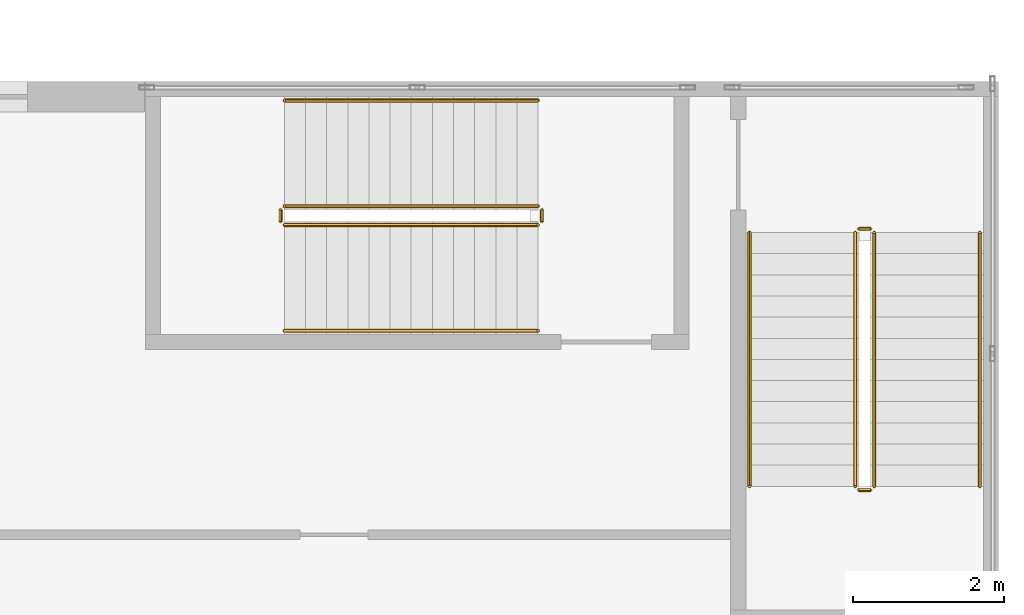
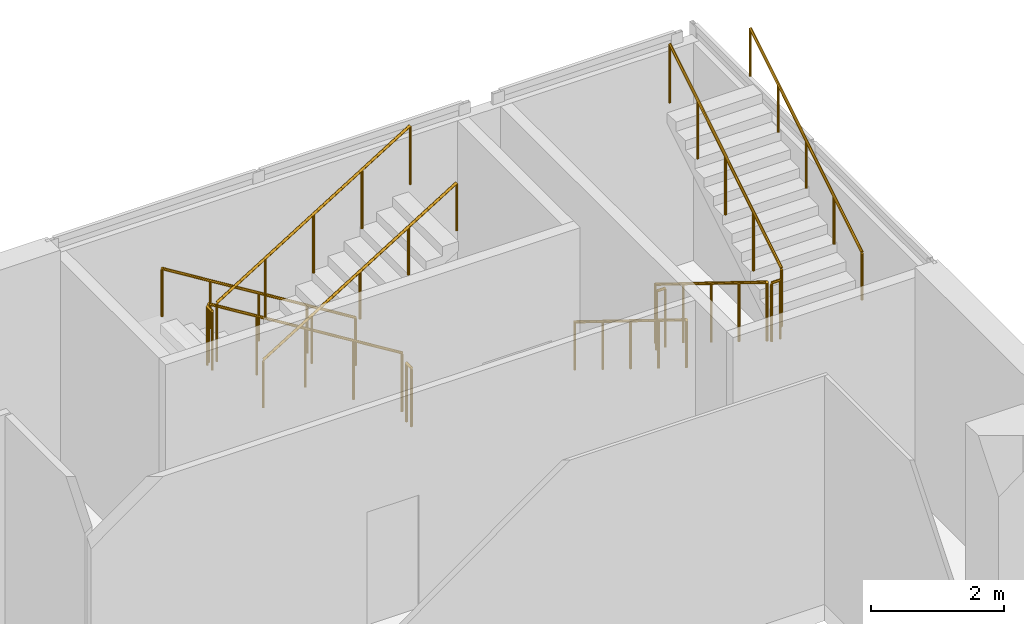
# One storey, part 21 of 21: 12 railings.
"""IFC4 building model written with IfcOpenShell, lengths in metres."""

from ifc_helpers import new_model, si_unit, direction, frame, origin, origin_2d, place, context, subcontext, project, spatial, circle, extrude, source, transform, mapped, material, type_object, element, save


model = new_model("IFC4")

# Units and contexts
model_context = context("Model", 3, precision=1e-05, world=origin(), true_north=direction((0.0, 1.0)))
body_context = subcontext(model_context, "Body", "Model", "MODEL_VIEW")
ifc_project = project(units=[si_unit("LENGTHUNIT", "METRE"), si_unit("AREAUNIT", "SQUARE_METRE"), si_unit("VOLUMEUNIT", "CUBIC_METRE"), si_unit("PLANEANGLEUNIT", "RADIAN"), si_unit("MASSUNIT", "GRAM", prefix="KILO")], contexts=[model_context])

# Site, building, storey
site_placement = place(None, origin())
site = spatial("IfcSite", under=ifc_project, at=site_placement, CompositionType="ELEMENT")
building_placement = place(site_placement, origin())
building = spatial("IfcBuilding", under=site, at=building_placement, Name="Khomas Fold Tower", CompositionType="ELEMENT")
storey_placement = place(building_placement, frame((0.0, 0.0, 28.5)))
storey = spatial("IfcBuildingStorey", under=building, at=storey_placement, Name="L05", CompositionType="ELEMENT", Elevation=28.5)

# Railings
ifc_material_1 = material(Name="Steel balustrade", Category="steel")
railing_type_1 = type_object("IfcRailingType", Name="Stair guard", PredefinedType="GUARDRAIL", material=ifc_material_1)
shared_shape_1 = source(origin(), body_context, "Body", "SweptSolid", [
    extrude(circle(Radius=0.02392578125, at=origin_2d()), frame((0.0, 0.0, 1.076171875), z_axis=(0.850606129759, 0.0, 0.525803396734), x_axis=(0.0, 1.0, 0.0)), (0.0, 0.0, 1.0), 3.949951171875),
    extrude(circle(Radius=0.02099609375, at=origin_2d()), origin(), (0.0, 0.0, 1.0), 1.052001953125),
    extrude(circle(Radius=0.02099609375, at=origin_2d()), frame((0.83984375, 0.0, 0.519287109375)), (0.0, 0.0, 1.0), 1.052001953125),
    extrude(circle(Radius=0.02099609375, at=origin_2d()), frame((1.679931640625, 0.0, 1.03857421875)), (0.0, 0.0, 1.0), 1.052001953125),
    extrude(circle(Radius=0.02099609375, at=origin_2d()), frame((2.52001953125, 0.0, 1.5576171875)), (0.0, 0.0, 1.0), 1.052001953125),
    extrude(circle(Radius=0.02099609375, at=origin_2d()), frame((3.35986328125, 0.0, 2.076904296875)), (0.0, 0.0, 1.0), 1.052001953125),
])
railing_1_placement = place(storey_placement, frame((71.5400390625, 52.10009765625, 2.423095703125)))
element("IfcRailing", 1, at=railing_1_placement, inside=storey, type_object=railing_type_1, Name="L05 PS5 stair guard 3", PredefinedType="GUARDRAIL", context=body_context, shape_type="MappedRepresentation", body=[
    mapped(shared_shape_1, transform((0.0, 0.0, 0.0))),
])
shared_shape_2 = source(origin(), body_context, "Body", "SweptSolid", [
    extrude(circle(Radius=0.02392578125, at=origin_2d()), frame((0.0, 0.0, 1.076171875), z_axis=(-0.850606129759, 0.0, 0.525803396734), x_axis=(0.0, -1.0, 0.0)), (0.0, 0.0, 1.0), 3.949951171875),
    extrude(circle(Radius=0.02099609375, at=origin_2d()), origin(), (0.0, 0.0, 1.0), 1.052001953125),
    extrude(circle(Radius=0.02099609375, at=origin_2d()), frame((-0.83984375, 0.0, 0.519287109375)), (0.0, 0.0, 1.0), 1.052001953125),
    extrude(circle(Radius=0.02099609375, at=origin_2d()), frame((-1.679931640625, 0.0, 1.03857421875)), (0.0, 0.0, 1.0), 1.052001953125),
    extrude(circle(Radius=0.02099609375, at=origin_2d()), frame((-2.52001953125, 0.0, 1.5576171875)), (0.0, 0.0, 1.0), 1.052001953125),
    extrude(circle(Radius=0.02099609375, at=origin_2d()), frame((-3.35986328125, 0.0, 2.076904296875)), (0.0, 0.0, 1.0), 1.052001953125),
])
railing_2_placement = place(storey_placement, frame((74.89990234375, 52.35009765625, 0.173095703125)))
element("IfcRailing", 2, at=railing_2_placement, inside=storey, type_object=railing_type_1, Name="L05 PS5 stair guard 1", PredefinedType="GUARDRAIL", context=body_context, shape_type="MappedRepresentation", body=[
    mapped(shared_shape_2, transform((0.0, 0.0, 0.0))),
])
ifc_material_2 = material(Name="Steel handrail", Category="steel")
railing_type_2 = type_object("IfcRailingType", Name="Stair handrail", PredefinedType="HANDRAIL", material=ifc_material_2)
shared_shape_3 = source(origin(), body_context, "Body", "SweptSolid", [
    extrude(circle(Radius=0.02392578125, at=origin_2d()), frame((0.0, 0.0, 0.8759765625), z_axis=(0.850606129759, 0.0, 0.525803396734), x_axis=(0.0, 1.0, 0.0)), (0.0, 0.0, 1.0), 3.949951171875),
    extrude(circle(Radius=0.02099609375, at=origin_2d()), origin(), (0.0, 0.0, 1.0), 0.851806640625),
    extrude(circle(Radius=0.02099609375, at=origin_2d()), frame((0.83984375, 0.0, 0.519287109375)), (0.0, 0.0, 1.0), 0.851806640625),
    extrude(circle(Radius=0.02099609375, at=origin_2d()), frame((1.679931640625, 0.0, 1.03857421875)), (0.0, 0.0, 1.0), 0.851806640625),
    extrude(circle(Radius=0.02099609375, at=origin_2d()), frame((2.52001953125, 0.0, 1.5576171875)), (0.0, 0.0, 1.0), 0.851806640625),
    extrude(circle(Radius=0.02099609375, at=origin_2d()), frame((3.35986328125, 0.0, 2.076904296875)), (0.0, 0.0, 1.0), 0.851806640625),
])
railing_3_placement = place(storey_placement, frame((71.5400390625, 50.699951171875, 2.423095703125)))
element("IfcRailing", 3, at=railing_3_placement, inside=storey, type_object=railing_type_2, Name="L05 PS5 stair handrail 2", PredefinedType="HANDRAIL", context=body_context, shape_type="MappedRepresentation", body=[
    mapped(shared_shape_3, transform((0.0, 0.0, 0.0))),
])
shared_shape_4 = source(origin(), body_context, "Body", "SweptSolid", [
    extrude(circle(Radius=0.02392578125, at=origin_2d()), frame((0.0, 0.0, 0.8759765625), z_axis=(-0.850606129759, 0.0, 0.525803396734), x_axis=(0.0, -1.0, 0.0)), (0.0, 0.0, 1.0), 3.949951171875),
    extrude(circle(Radius=0.02099609375, at=origin_2d()), origin(), (0.0, 0.0, 1.0), 0.851806640625),
    extrude(circle(Radius=0.02099609375, at=origin_2d()), frame((-0.83984375, 0.0, 0.519287109375)), (0.0, 0.0, 1.0), 0.851806640625),
    extrude(circle(Radius=0.02099609375, at=origin_2d()), frame((-1.679931640625, 0.0, 1.03857421875)), (0.0, 0.0, 1.0), 0.851806640625),
    extrude(circle(Radius=0.02099609375, at=origin_2d()), frame((-2.52001953125, 0.0, 1.5576171875)), (0.0, 0.0, 1.0), 0.851806640625),
    extrude(circle(Radius=0.02099609375, at=origin_2d()), frame((-3.35986328125, 0.0, 2.076904296875)), (0.0, 0.0, 1.0), 0.851806640625),
])
railing_4_placement = place(storey_placement, frame((74.89990234375, 53.75, 0.173095703125)))
element("IfcRailing", 4, at=railing_4_placement, inside=storey, type_object=railing_type_2, Name="L05 PS5 stair handrail 1", PredefinedType="HANDRAIL", context=body_context, shape_type="MappedRepresentation", body=[
    mapped(shared_shape_4, transform((0.0, 0.0, 0.0))),
])
shared_shape_5 = source(origin(), body_context, "Body", "SweptSolid", [
    extrude(circle(Radius=0.02392578125, at=origin_2d()), frame((0.0, 0.0, 1.076171875), z_axis=(0.0, -1.0, 0.0), x_axis=(1.0, 0.0, 0.0)), (0.0, 0.0, 1.0), 0.150146484375),
    extrude(circle(Radius=0.02099609375, at=origin_2d()), origin(), (0.0, 0.0, 1.0), 1.052001953125),
    extrude(circle(Radius=0.02099609375, at=origin_2d()), frame((0.0, -0.150146484375, 0.0)), (0.0, 0.0, 1.0), 1.052001953125),
])
for number, where, name in (
    (5, (71.489990234375, 52.300048828125, 2.25), "L05 PS5 stair guard 2"),
    (6, (74.949951171875, 52.300048828125, 0.0), "L05 PS5 stair guard 4"),
):
    element("IfcRailing", number, at=place(storey_placement, frame(where)), inside=storey, type_object=railing_type_1, Name=name, PredefinedType="GUARDRAIL", context=body_context, shape_type="MappedRepresentation", body=[
        mapped(shared_shape_5, transform((0.0, 0.0, 0.0))),
    ])
shared_shape_6 = source(origin(), body_context, "Body", "SweptSolid", [
    extrude(circle(Radius=0.02392578125, at=origin_2d()), frame((0.0, 0.0, 1.076171875), z_axis=(0.0, 0.850623216509, 0.525775754039), x_axis=(-1.0, 0.0, 0.0)), (0.0, 0.0, 1.0), 3.9501953125),
    extrude(circle(Radius=0.02099609375, at=origin_2d()), origin(), (0.0, 0.0, 1.0), 1.052001953125),
    extrude(circle(Radius=0.02099609375, at=origin_2d()), frame((0.0, 0.840087890625, 0.519287109375)), (0.0, 0.0, 1.0), 1.052001953125),
    extrude(circle(Radius=0.02099609375, at=origin_2d()), frame((0.0, 1.68017578125, 1.03857421875)), (0.0, 0.0, 1.0), 1.052001953125),
    extrude(circle(Radius=0.02099609375, at=origin_2d()), frame((0.0, 2.52001953125, 1.5576171875)), (0.0, 0.0, 1.0), 1.052001953125),
    extrude(circle(Radius=0.02099609375, at=origin_2d()), frame((0.0, 3.360107421875, 2.076904296875)), (0.0, 0.0, 1.0), 1.052001953125),
])
railing_5_placement = place(storey_placement, frame((79.35009765625, 48.639892578125, 2.423095703125)))
element("IfcRailing", 7, at=railing_5_placement, inside=storey, type_object=railing_type_1, Name="L05 PS6 stair guard 3", PredefinedType="GUARDRAIL", context=body_context, shape_type="MappedRepresentation", body=[
    mapped(shared_shape_6, transform((0.0, 0.0, 0.0))),
])
shared_shape_7 = source(origin(), body_context, "Body", "SweptSolid", [
    extrude(circle(Radius=0.02392578125, at=origin_2d()), frame((0.0, 0.0, 1.076171875), z_axis=(0.0, -0.850623216509, 0.525775754039), x_axis=(1.0, 0.0, 0.0)), (0.0, 0.0, 1.0), 3.9501953125),
    extrude(circle(Radius=0.02099609375, at=origin_2d()), origin(), (0.0, 0.0, 1.0), 1.052001953125),
    extrude(circle(Radius=0.02099609375, at=origin_2d()), frame((0.0, -0.840087890625, 0.519287109375)), (0.0, 0.0, 1.0), 1.052001953125),
    extrude(circle(Radius=0.02099609375, at=origin_2d()), frame((0.0, -1.68017578125, 1.03857421875)), (0.0, 0.0, 1.0), 1.052001953125),
    extrude(circle(Radius=0.02099609375, at=origin_2d()), frame((0.0, -2.52001953125, 1.5576171875)), (0.0, 0.0, 1.0), 1.052001953125),
    extrude(circle(Radius=0.02099609375, at=origin_2d()), frame((0.0, -3.360107421875, 2.076904296875)), (0.0, 0.0, 1.0), 1.052001953125),
])
railing_6_placement = place(storey_placement, frame((79.10009765625, 52.0, 0.173095703125)))
element("IfcRailing", 8, at=railing_6_placement, inside=storey, type_object=railing_type_1, Name="L05 PS6 stair guard 1", PredefinedType="GUARDRAIL", context=body_context, shape_type="MappedRepresentation", body=[
    mapped(shared_shape_7, transform((0.0, 0.0, 0.0))),
])
shared_shape_8 = source(origin(), body_context, "Body", "SweptSolid", [
    extrude(circle(Radius=0.02392578125, at=origin_2d()), frame((0.0, 0.0, 0.8759765625), z_axis=(0.0, 0.850623216509, 0.525775754039), x_axis=(-1.0, 0.0, 0.0)), (0.0, 0.0, 1.0), 3.9501953125),
    extrude(circle(Radius=0.02099609375, at=origin_2d()), origin(), (0.0, 0.0, 1.0), 0.851806640625),
    extrude(circle(Radius=0.02099609375, at=origin_2d()), frame((0.0, 0.840087890625, 0.519287109375)), (0.0, 0.0, 1.0), 0.851806640625),
    extrude(circle(Radius=0.02099609375, at=origin_2d()), frame((0.0, 1.68017578125, 1.03857421875)), (0.0, 0.0, 1.0), 0.851806640625),
    extrude(circle(Radius=0.02099609375, at=origin_2d()), frame((0.0, 2.52001953125, 1.5576171875)), (0.0, 0.0, 1.0), 0.851806640625),
    extrude(circle(Radius=0.02099609375, at=origin_2d()), frame((0.0, 3.360107421875, 2.076904296875)), (0.0, 0.0, 1.0), 0.851806640625),
])
railing_7_placement = place(storey_placement, frame((80.75, 48.639892578125, 2.423095703125)))
element("IfcRailing", 9, at=railing_7_placement, inside=storey, type_object=railing_type_2, Name="L05 PS6 stair handrail 2", PredefinedType="HANDRAIL", context=body_context, shape_type="MappedRepresentation", body=[
    mapped(shared_shape_8, transform((0.0, 0.0, 0.0))),
])
shared_shape_9 = source(origin(), body_context, "Body", "SweptSolid", [
    extrude(circle(Radius=0.02392578125, at=origin_2d()), frame((0.0, 0.0, 0.8759765625), z_axis=(0.0, -0.850623216509, 0.525775754039), x_axis=(1.0, 0.0, 0.0)), (0.0, 0.0, 1.0), 3.9501953125),
    extrude(circle(Radius=0.02099609375, at=origin_2d()), origin(), (0.0, 0.0, 1.0), 0.851806640625),
    extrude(circle(Radius=0.02099609375, at=origin_2d()), frame((0.0, -0.840087890625, 0.519287109375)), (0.0, 0.0, 1.0), 0.851806640625),
    extrude(circle(Radius=0.02099609375, at=origin_2d()), frame((0.0, -1.68017578125, 1.03857421875)), (0.0, 0.0, 1.0), 0.851806640625),
    extrude(circle(Radius=0.02099609375, at=origin_2d()), frame((0.0, -2.52001953125, 1.5576171875)), (0.0, 0.0, 1.0), 0.851806640625),
    extrude(circle(Radius=0.02099609375, at=origin_2d()), frame((0.0, -3.360107421875, 2.076904296875)), (0.0, 0.0, 1.0), 0.851806640625),
])
railing_8_placement = place(storey_placement, frame((77.699951171875, 52.0, 0.173095703125)))
element("IfcRailing", 10, at=railing_8_placement, inside=storey, type_object=railing_type_2, Name="L05 PS6 stair handrail 1", PredefinedType="HANDRAIL", context=body_context, shape_type="MappedRepresentation", body=[
    mapped(shared_shape_9, transform((0.0, 0.0, 0.0))),
])
shared_shape_10 = source(origin(), body_context, "Body", "SweptSolid", [
    extrude(circle(Radius=0.02392578125, at=origin_2d()), frame((0.0, 0.0, 1.076171875), z_axis=(1.0, 0.0, 0.0), x_axis=(0.0, 1.0, 0.0)), (0.0, 0.0, 1.0), 0.150146484375),
    extrude(circle(Radius=0.02099609375, at=origin_2d()), origin(), (0.0, 0.0, 1.0), 1.052001953125),
    extrude(circle(Radius=0.02099609375, at=origin_2d()), frame((0.150146484375, 0.0, 0.0)), (0.0, 0.0, 1.0), 1.052001953125),
])
for number, where, name in (
    (11, (79.14990234375, 48.590087890625, 2.25), "L05 PS6 stair guard 2"),
    (12, (79.14990234375, 52.050048828125, 0.0), "L05 PS6 stair guard 4"),
):
    element("IfcRailing", number, at=place(storey_placement, frame(where)), inside=storey, type_object=railing_type_1, Name=name, PredefinedType="GUARDRAIL", context=body_context, shape_type="MappedRepresentation", body=[
        mapped(shared_shape_10, transform((0.0, 0.0, 0.0))),
    ])

save(model, "model.ifc")
